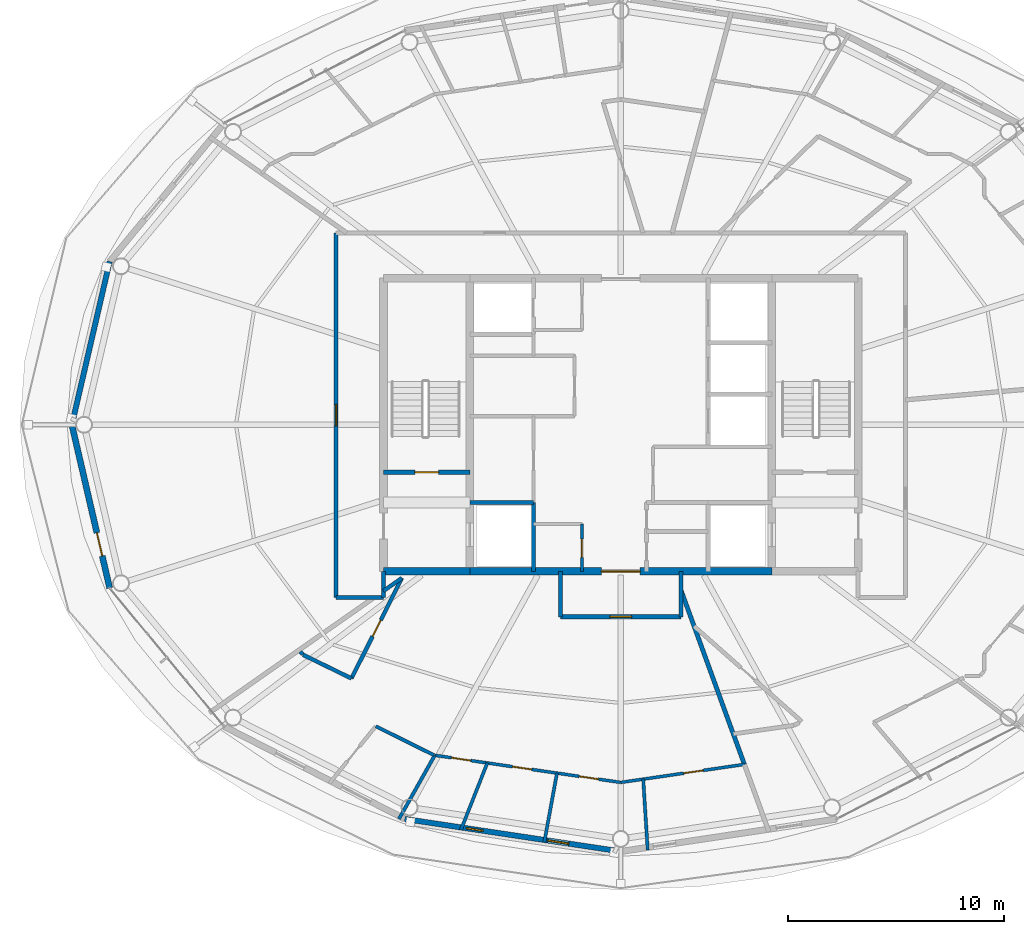
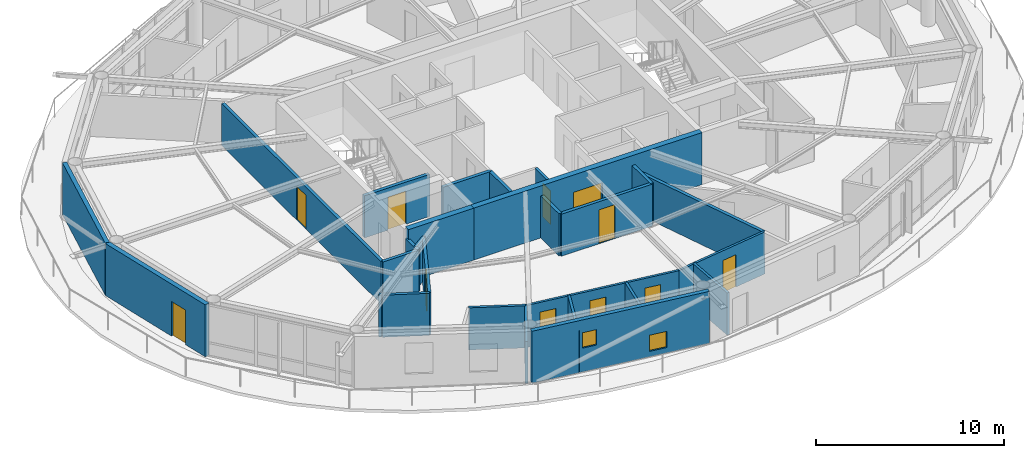
# One storey, part 16 of 23: 27 walls, 11 doors, 2 windows, 13 openings.
"""IFC4 building model written with IfcOpenShell, lengths in metres."""

from ifc_helpers import new_model, si_unit, direction, frame, frame_2d, origin, place, context, subcontext, project, spatial, rectangle, extrude, material, layer, layer_set, type_object, element, fill, save


model = new_model("IFC4")

# Units and contexts
model_context = context("Model", 3, precision=1e-05, world=origin(), true_north=direction((0.0, 1.0)))
body_context = subcontext(model_context, "Body", "Model", "MODEL_VIEW")
ifc_project = project(units=[si_unit("LENGTHUNIT", "METRE"), si_unit("AREAUNIT", "SQUARE_METRE"), si_unit("VOLUMEUNIT", "CUBIC_METRE"), si_unit("PLANEANGLEUNIT", "RADIAN"), si_unit("MASSUNIT", "GRAM", prefix="KILO")], contexts=[model_context])

# Site, building, storey
site_placement = place(None, origin())
site = spatial("IfcSite", under=ifc_project, at=site_placement, CompositionType="ELEMENT")
building_placement = place(site_placement, origin())
building = spatial("IfcBuilding", under=site, at=building_placement, Name="Sarneth Arch Tower", CompositionType="ELEMENT")
storey_placement = place(building_placement, frame((0.0, 0.0, 280.199951171875)))
storey = spatial("IfcBuildingStorey", under=building, at=storey_placement, Name="L72", CompositionType="ELEMENT", Elevation=280.199951171875)

# Wall
ifc_material_1 = material(Name="Concrete C50/60", Category="concrete")
ifc_layer_1 = layer(ifc_material_1, 0.35009765625)
ifc_layer_set_1 = layer_set([ifc_layer_1], Name="Concrete C50/60")
wall_type_1 = type_object("IfcWallType", Name="WALL-CORE-350", PredefinedType="SHEAR", material=ifc_layer_set_1)
wall_1_placement = place(storey_placement, frame((37.0, 35.199951171875, 0.0), z_axis=(0.0, 0.0, 1.0), x_axis=(1.0, 0.0, 0.0)))
element("IfcWall", 1, at=wall_1_placement, inside=storey, type_object=wall_type_1, Name="L72 Core shear wall S-W", PredefinedType="SHEAR", context=body_context, shape_type="SweptSolid", body=[
    extrude(rectangle(XDim=4.0, YDim=0.35009765625, at=frame_2d((2.0, 0.0))), origin(), (0.0, 0.0, 1.0), 3.3701171875),
])

# Wall, opening, door
wall_2_placement = place(storey_placement, frame((41.0, 35.199951171875, 0.0), z_axis=(0.0, 0.0, 1.0), x_axis=(1.0, 0.0, 0.0)))
wall_2 = element("IfcWall", 2, at=wall_2_placement, inside=storey, type_object=wall_type_1, Name="L72 Core shear wall S-M", PredefinedType="SHEAR", context=body_context, shape_type="SweptSolid", body=[
    extrude(rectangle(XDim=14.0, YDim=0.35009765625, at=frame_2d((7.0, 0.0))), origin(), (0.0, 0.0, 1.0), 3.3701171875),
])
opening_1_placement = place(wall_2_placement, frame((6.10009765625, 0.0, 0.0)))
opening_1 = element("IfcOpeningElement", 3, at=opening_1_placement, cuts=wall_2, Name="Opening FD-01", PredefinedType="OPENING", context=body_context, shape_type="SweptSolid", body=[
    extrude(rectangle(XDim=1.800048828125, YDim=2.25, at=frame_2d((0.89990234375, 1.125))), frame((0.0, 0.18505859375, 0.0), z_axis=(0.0, -1.0, 0.0), x_axis=(1.0, 0.0, 0.0)), (0.0, 0.0, 1.0), 0.3701171875),
])
ifc_material_2 = material(Name="Galvanised Steel S275 fire door set", Category="steel")
door_type_1 = type_object("IfcDoorType", Name="DR-FD90-1800", OperationType="DOUBLE_DOOR_SINGLE_SWING", PredefinedType="DOOR", material=ifc_material_2)
door_1_placement = place(opening_1_placement, origin())
door_1 = element("IfcDoor", 4, at=door_1_placement, inside=storey, type_object=door_type_1, Name="L72 Central lift lobby south door", OperationType="DOUBLE_DOOR_SINGLE_SWING", OverallHeight=2.25, OverallWidth=1.800048828125, PredefinedType="DOOR", context=body_context, shape_type="SweptSolid", body=[
    extrude(rectangle(XDim=1.800048828125, YDim=2.25, at=frame_2d((0.89990234375, 1.125))), frame((0.0, 0.02490234375, 0.0), z_axis=(0.0, -1.0, 0.0), x_axis=(1.0, 0.0, 0.0)), (0.0, 0.0, 1.0), 0.050048828125),
])
fill(opening_1, door_1)

ifc_material_3 = material(Name="Double steel-stud corridor fire wall", Category="steel")
ifc_layer_2 = layer(ifc_material_3, 0.18994140625)
ifc_layer_set_2 = layer_set([ifc_layer_2], Name="Double steel-stud corridor fire wall")
wall_type_2 = type_object("IfcWallType", Name="WALL-CORR-190", PredefinedType="PARTITIONING", material=ifc_layer_set_2)
wall_3_placement = place(storey_placement, frame((34.800048828125, 34.0, 0.0), z_axis=(0.0, 0.0, 1.0), x_axis=(0.0, 1.0, 0.0)))
wall_3 = element("IfcWall", 5, at=wall_3_placement, inside=storey, type_object=wall_type_2, Name="L72 Interior partition W-L72-TP-008", PredefinedType="PARTITIONING", context=body_context, shape_type="SweptSolid", body=[
    extrude(rectangle(XDim=16.89990234375, YDim=0.18994140625, at=frame_2d((8.449951171875, 0.0))), origin(), (0.0, 0.0, 1.0), 2.72998046875),
])
opening_2_placement = place(wall_3_placement, frame((7.949951171875, 0.0, 0.0)))
opening_2 = element("IfcOpeningElement", 6, at=opening_2_placement, cuts=wall_3, Name="Opening FD-08", PredefinedType="OPENING", context=body_context, shape_type="SweptSolid", body=[
    extrude(rectangle(XDim=1.0, YDim=2.199951171875, at=frame_2d((0.5, 1.10009765625))), frame((0.0, 0.10498046875, 0.0), z_axis=(0.0, -1.0, 0.0), x_axis=(1.0, 0.0, 0.0)), (0.0, 0.0, 1.0), 0.2099609375),
])
ifc_material_4 = material(Name="Hardwood timber acoustic fire door", Category="wood")
door_type_2 = type_object("IfcDoorType", Name="DR-FD60-1000", OperationType="SINGLE_SWING_LEFT", PredefinedType="DOOR", material=ifc_material_4)
door_2_placement = place(opening_2_placement, origin())
door_2 = element("IfcDoor", 7, at=door_2_placement, inside=storey, type_object=door_type_2, Name="L72 Interior door DR-L72-RAMN-03", OperationType="SINGLE_SWING_LEFT", OverallHeight=2.199951171875, OverallWidth=1.0, PredefinedType="DOOR", context=body_context, shape_type="SweptSolid", body=[
    extrude(rectangle(XDim=1.0, YDim=2.199951171875, at=frame_2d((0.5, 1.10009765625))), frame((0.0, 0.02490234375, 0.0), z_axis=(0.0, -1.0, 0.0), x_axis=(1.0, 0.0, 0.0)), (0.0, 0.0, 1.0), 0.050048828125),
])
fill(opening_2, door_2)

wall_4_placement = place(storey_placement, frame((50.800048828125, 33.10009765625, 0.0), z_axis=(0.0, 0.0, 1.0), x_axis=(-1.0, 0.0, 0.0)))
wall_4 = element("IfcWall", 8, at=wall_4_placement, inside=storey, type_object=wall_type_2, Name="L72 Interior partition W-L72-TP-016", PredefinedType="PARTITIONING", context=body_context, shape_type="SweptSolid", body=[
    extrude(rectangle(XDim=5.60009765625, YDim=0.18994140625, at=frame_2d((2.800048828125, 0.0))), origin(), (0.0, 0.0, 1.0), 2.72998046875),
])
opening_3_placement = place(wall_4_placement, frame((2.300048828125, 0.0, 0.0)))
opening_3 = element("IfcOpeningElement", 9, at=opening_3_placement, cuts=wall_4, Name="Opening FD-08", PredefinedType="OPENING", context=body_context, shape_type="SweptSolid", body=[
    extrude(rectangle(XDim=1.0, YDim=2.199951171875, at=frame_2d((0.5, 1.10009765625))), frame((0.0, 0.10498046875, 0.0), z_axis=(0.0, -1.0, 0.0), x_axis=(1.0, 0.0, 0.0)), (0.0, 0.0, 1.0), 0.2099609375),
])
door_3_placement = place(opening_3_placement, origin())
door_3 = element("IfcDoor", 10, at=door_3_placement, inside=storey, type_object=door_type_2, Name="L72 Interior door DR-L72-U4-ENT", OperationType="SINGLE_SWING_LEFT", OverallHeight=2.199951171875, OverallWidth=1.0, PredefinedType="DOOR", context=body_context, shape_type="SweptSolid", body=[
    extrude(rectangle(XDim=1.0, YDim=2.199951171875, at=frame_2d((0.5, 1.10009765625))), frame((0.0, 0.02490234375, 0.0), z_axis=(0.0, -1.0, 0.0), x_axis=(1.0, 0.0, 0.0)), (0.0, 0.0, 1.0), 0.050048828125),
])
fill(opening_3, door_3)

# Walls
wall_5_placement = place(storey_placement, frame((45.199951171875, 33.10009765625, 0.0), z_axis=(0.0, 0.0, 1.0), x_axis=(0.0, 1.0, 0.0)))
element("IfcWall", 11, at=wall_5_placement, inside=storey, type_object=wall_type_2, Name="L72 Interior partition W-L72-TP-017", PredefinedType="PARTITIONING", context=body_context, shape_type="SweptSolid", body=[
    extrude(rectangle(XDim=2.099853515625, YDim=0.18994140625, at=frame_2d((1.0498046875, 0.0))), origin(), (0.0, 0.0, 1.0), 2.72998046875),
])
wall_6_placement = place(storey_placement, frame((37.0, 34.0, 0.0), z_axis=(0.0, 0.0, 1.0), x_axis=(-1.0, 0.0, 0.0)))
element("IfcWall", 12, at=wall_6_placement, inside=storey, type_object=wall_type_2, Name="L72 Interior partition W-L72-TP-007", PredefinedType="PARTITIONING", context=body_context, shape_type="SweptSolid", body=[
    extrude(rectangle(XDim=2.199951171875, YDim=0.18994140625, at=frame_2d((1.10009765625, 0.0))), origin(), (0.0, 0.0, 1.0), 2.72998046875),
])
wall_7_placement = place(storey_placement, frame((50.800048828125, 35.199951171875, 0.0), z_axis=(0.0, 0.0, 1.0), x_axis=(0.0, -1.0, 0.0)))
element("IfcWall", 13, at=wall_7_placement, inside=storey, type_object=wall_type_2, Name="L72 Interior partition W-L72-TP-015", PredefinedType="PARTITIONING", context=body_context, shape_type="SweptSolid", body=[
    extrude(rectangle(XDim=2.099853515625, YDim=0.18994140625, at=frame_2d((1.0498046875, 0.0))), origin(), (0.0, 0.0, 1.0), 2.72998046875),
])
wall_8_placement = place(storey_placement, frame((37.0, 35.199951171875, 0.0), z_axis=(0.0, 0.0, 1.0), x_axis=(0.0, -1.0, 0.0)))
element("IfcWall", 14, at=wall_8_placement, inside=storey, type_object=wall_type_2, Name="L72 Interior partition W-L72-TP-098", PredefinedType="PARTITIONING", context=body_context, shape_type="SweptSolid", body=[
    extrude(rectangle(XDim=1.199951171875, YDim=0.18994140625, at=frame_2d((0.60009765625, 0.0))), origin(), (0.0, 0.0, 1.0), 2.72998046875),
])
ifc_material_5 = material(Name="Extruded terracotta rainscreen on Concrete C40/50 backing", Category="masonry")
ifc_layer_3 = layer(ifc_material_5, 0.25)
ifc_layer_set_3 = layer_set([ifc_layer_3], Name="Extruded terracotta rainscreen on Concrete C40/50 backing")
wall_type_3 = type_object("IfcWallType", Name="WALL-EXT-SPAND-250", PredefinedType="SOLIDWALL", material=ifc_layer_set_3)
wall_9_placement = place(storey_placement, frame((24.30615234375, 49.569580078125, 0.0), z_axis=(0.0, 0.0, 1.0), x_axis=(-0.225635078214, -0.974211892495, 0.0)))
element("IfcWall", 15, at=wall_9_placement, inside=storey, type_object=wall_type_3, Name="L72 Terracotta perimeter wall 08", PredefinedType="SOLIDWALL", context=body_context, shape_type="SweptSolid", body=[
    extrude(rectangle(XDim=7.77001953125, YDim=0.25, at=frame_2d((3.885009765625, 0.0))), origin(), (0.0, 0.0, 1.0), 3.3701171875),
])

# Wall, openings, windows
wall_10_placement = place(storey_placement, frame((37.9873046875, 23.7255859375, 0.0), z_axis=(0.0, 0.0, 1.0), x_axis=(0.988882522213, -0.148698881169, 0.0)))
wall_10 = element("IfcWall", 16, at=wall_10_placement, inside=storey, type_object=wall_type_3, Name="L72 Terracotta perimeter wall 12", PredefinedType="SOLIDWALL", context=body_context, shape_type="SweptSolid", body=[
    extrude(rectangle(XDim=10.125244140625, YDim=0.25, at=frame_2d((5.0625, 0.0))), origin(), (0.0, 0.0, 1.0), 3.3701171875),
])
opening_4_placement = place(wall_10_placement, frame((2.884765625, 0.0, 1.5400390625)))
opening_4 = element("IfcOpeningElement", 17, at=opening_4_placement, cuts=wall_10, Name="Opening W-15", PredefinedType="OPENING", context=body_context, shape_type="SweptSolid", body=[
    extrude(rectangle(XDim=0.800048828125, YDim=1.0, at=frame_2d((0.39990234375, 0.5))), frame((0.0, 0.135009765625, 0.0), z_axis=(0.0, -1.0, 0.0), x_axis=(1.0, 0.0, 0.0)), (0.0, 0.0, 1.0), 0.27001953125),
])
opening_5_placement = place(wall_10_placement, frame((6.69580078125, 0.0, 0.35009765625)))
opening_5 = element("IfcOpeningElement", 18, at=opening_5_placement, cuts=wall_10, Name="Opening W-14", PredefinedType="OPENING", context=body_context, shape_type="SweptSolid", body=[
    extrude(rectangle(XDim=1.0, YDim=1.050048828125, at=frame_2d((0.5, 0.52490234375))), frame((0.0, 0.135009765625, 0.0), z_axis=(0.0, -1.0, 0.0), x_axis=(1.0, 0.0, 0.0)), (0.0, 0.0, 1.0), 0.27001953125),
])
ifc_material_6 = material(Name="Thermally broken Aluminium 6063-T6 and low-e laminated IGU", Category="aluminium")
window_type_1 = type_object("IfcWindowType", Name="WIN-TWR-1000x1050", PartitioningType="SINGLE_PANEL", PredefinedType="WINDOW", material=ifc_material_6)
window_1_placement = place(opening_5_placement, origin())
window_1 = element("IfcWindow", 19, at=window_1_placement, inside=storey, type_object=window_type_1, Name="L72 Dwelling bedroom window 04", OverallHeight=1.050048828125, OverallWidth=1.0, PartitioningType="SINGLE_PANEL", PredefinedType="WINDOW", context=body_context, shape_type="SweptSolid", body=[
    extrude(rectangle(XDim=1.0, YDim=1.050048828125, at=frame_2d((0.5, 0.52490234375))), frame((0.0, 0.030029296875, 0.0), z_axis=(0.0, -1.0, 0.0), x_axis=(1.0, 0.0, 0.0)), (0.0, 0.0, 1.0), 0.06005859375),
])
fill(opening_5, window_1)
ifc_material_7 = material(Name="Thermally broken Aluminium 6063-T6 and low-e laminated IGU", Category="aluminium")
window_type_2 = type_object("IfcWindowType", Name="WIN-TWR-800x1000", PartitioningType="SINGLE_PANEL", PredefinedType="WINDOW", material=ifc_material_7)
window_2_placement = place(opening_4_placement, origin())
window_2 = element("IfcWindow", 20, at=window_2_placement, inside=storey, type_object=window_type_2, Name="L72 Dwelling bedroom window 03", OverallHeight=1.0, OverallWidth=0.800048828125, PartitioningType="SINGLE_PANEL", PredefinedType="WINDOW", context=body_context, shape_type="SweptSolid", body=[
    extrude(rectangle(XDim=0.800048828125, YDim=1.0, at=frame_2d((0.39990234375, 0.5))), frame((0.0, 0.030029296875, 0.0), z_axis=(0.0, -1.0, 0.0), x_axis=(1.0, 0.0, 0.0)), (0.0, 0.0, 1.0), 0.06005859375),
])
fill(opening_4, window_2)

# Wall, opening, door
ifc_material_8 = material(Name="Extruded terracotta rainscreen on Concrete C40/50 backing", Category="masonry")
ifc_layer_4 = layer(ifc_material_8, 0.280029296875)
ifc_layer_set_4 = layer_set([ifc_layer_4], Name="Extruded terracotta rainscreen on Concrete C40/50 backing")
wall_type_4 = type_object("IfcWallType", Name="WALL-EXT-TERRA-280", PredefinedType="SOLIDWALL", material=ifc_layer_set_4)
wall_11_placement = place(storey_placement, frame((22.552978515625, 42.0, 0.0), z_axis=(0.0, 0.0, 1.0), x_axis=(0.225635078214, -0.974211892495, 0.0)))
wall_11 = element("IfcWall", 21, at=wall_11_placement, inside=storey, type_object=wall_type_4, Name="L72 Terracotta perimeter wall 09", PredefinedType="SOLIDWALL", context=body_context, shape_type="SweptSolid", body=[
    extrude(rectangle(XDim=7.77001953125, YDim=0.280029296875, at=frame_2d((3.885009765625, 0.0))), origin(), (0.0, 0.0, 1.0), 3.3701171875),
])
opening_6_placement = place(wall_11_placement, frame((5.14208984375, 0.0, 0.0)))
opening_6 = element("IfcOpeningElement", 22, at=opening_6_placement, cuts=wall_11, Name="Opening BD-3", PredefinedType="OPENING", context=body_context, shape_type="SweptSolid", body=[
    extrude(rectangle(XDim=1.10009765625, YDim=2.25, at=frame_2d((0.550048828125, 1.125))), frame((0.0, 0.14990234375, 0.0), z_axis=(0.0, -1.0, 0.0), x_axis=(1.0, 0.0, 0.0)), (0.0, 0.0, 1.0), 0.300048828125),
])
ifc_material_9 = material(Name="Thermally broken Aluminium 6063-T6 and laminated safety glass", Category="aluminium")
door_type_3 = type_object("IfcDoorType", Name="DR-BALC-GLZ-1100", OperationType="SINGLE_SWING_LEFT", PredefinedType="DOOR", material=ifc_material_9)
door_4_placement = place(opening_6_placement, origin())
door_4 = element("IfcDoor", 23, at=door_4_placement, inside=storey, type_object=door_type_3, Name="L72 Balcony glazed door 09", OperationType="SINGLE_SWING_LEFT", OverallHeight=2.25, OverallWidth=1.10009765625, PredefinedType="DOOR", context=body_context, shape_type="SweptSolid", body=[
    extrude(rectangle(XDim=1.10009765625, YDim=2.25, at=frame_2d((0.550048828125, 1.125))), frame((0.0, 0.02490234375, 0.0), z_axis=(0.0, -1.0, 0.0), x_axis=(1.0, 0.0, 0.0)), (0.0, 0.0, 1.0), 0.050048828125),
])
fill(opening_6, door_4)

ifc_material_10 = material(Name="Apartment internal stud partition", Category="gypsum")
ifc_layer_5 = layer(ifc_material_10, 0.139892578125)
ifc_layer_set_5 = layer_set([ifc_layer_5], Name="Apartment internal stud partition")
wall_type_5 = type_object("IfcWallType", Name="WALL-PART-140", PredefinedType="PARTITIONING", material=ifc_layer_set_5)
wall_12_placement = place(storey_placement, frame((53.73046875, 26.255615234375, 0.0), z_axis=(0.0, 0.0, 1.0), x_axis=(-0.989539000253, -0.144265612597, 0.0)))
wall_12 = element("IfcWall", 24, at=wall_12_placement, inside=storey, type_object=wall_type_5, Name="L72 Interior partition W-L72-TP-072", PredefinedType="PARTITIONING", context=body_context, shape_type="SweptSolid", body=[
    extrude(rectangle(XDim=5.791015625, YDim=0.139892578125, at=frame_2d((2.8955078125, 0.0))), origin(), (0.0, 0.0, 1.0), 2.72998046875),
])
opening_7_placement = place(wall_12_placement, frame((1.93603515625, 0.0, 0.0)))
opening_7 = element("IfcOpeningElement", 25, at=opening_7_placement, cuts=wall_12, Name="Opening ID-01", PredefinedType="OPENING", context=body_context, shape_type="SweptSolid", body=[
    extrude(rectangle(XDim=0.89990234375, YDim=2.10009765625, at=frame_2d((0.449951171875, 1.050048828125))), frame((0.0, 0.079833984375, 0.0), z_axis=(0.0, -1.0, 0.0), x_axis=(1.0, 0.0, 0.0)), (0.0, 0.0, 1.0), 0.159912109375),
])
ifc_material_11 = material(Name="Engineered hardwood flush door", Category="wood")
door_type_4 = type_object("IfcDoorType", Name="DR-INT-900", OperationType="SINGLE_SWING_LEFT", PredefinedType="DOOR", material=ifc_material_11)
door_5_placement = place(opening_7_placement, origin())
door_5 = element("IfcDoor", 26, at=door_5_placement, inside=storey, type_object=door_type_4, Name="L72 Interior door DR-L72-U4-BED3", OperationType="SINGLE_SWING_RIGHT", OverallHeight=2.10009765625, OverallWidth=0.89990234375, PredefinedType="DOOR", context=body_context, shape_type="SweptSolid", body=[
    extrude(rectangle(XDim=0.89990234375, YDim=2.10009765625, at=frame_2d((0.449951171875, 1.050048828125))), frame((0.0, 0.02490234375, 0.0), z_axis=(0.0, -1.0, 0.0), x_axis=(1.0, 0.0, 0.0)), (0.0, 0.0, 1.0), 0.050048828125),
])
fill(opening_7, door_5)

# Wall, openings, doors
wall_13_placement = place(storey_placement, frame((48.0, 25.419921875, 0.0), z_axis=(0.0, 0.0, 1.0), x_axis=(-0.989534564718, 0.144296033307, 0.0)))
wall_13 = element("IfcWall", 27, at=wall_13_placement, inside=storey, type_object=wall_type_5, Name="L72 Interior partition W-L72-TP-069", PredefinedType="PARTITIONING", context=body_context, shape_type="SweptSolid", body=[
    extrude(rectangle(XDim=8.713623046875, YDim=0.139892578125, at=frame_2d((4.35693359375, 0.0))), origin(), (0.0, 0.0, 1.0), 2.72998046875),
])
opening_8_placement = place(wall_13_placement, frame((4.1708984375, 0.0, 0.0)))
opening_8 = element("IfcOpeningElement", 28, at=opening_8_placement, cuts=wall_13, Name="Opening ID-01", PredefinedType="OPENING", context=body_context, shape_type="SweptSolid", body=[
    extrude(rectangle(XDim=0.89990234375, YDim=2.10009765625, at=frame_2d((0.449951171875, 1.050048828125))), frame((0.0, 0.079833984375, 0.0), z_axis=(0.0, -1.0, 0.0), x_axis=(1.0, 0.0, 0.0)), (0.0, 0.0, 1.0), 0.159912109375),
])
opening_9_placement = place(wall_13_placement, frame((1.044677734375, 0.0, 0.0)))
opening_9 = element("IfcOpeningElement", 29, at=opening_9_placement, cuts=wall_13, Name="Opening ID-01", PredefinedType="OPENING", context=body_context, shape_type="SweptSolid", body=[
    extrude(rectangle(XDim=0.89990234375, YDim=2.10009765625, at=frame_2d((0.449951171875, 1.050048828125))), frame((0.0, 0.079833984375, 0.0), z_axis=(0.0, -1.0, 0.0), x_axis=(1.0, 0.0, 0.0)), (0.0, 0.0, 1.0), 0.159912109375),
])
opening_10_placement = place(wall_13_placement, frame((7.03271484375, 0.0, 0.0)))
opening_10 = element("IfcOpeningElement", 30, at=opening_10_placement, cuts=wall_13, Name="Opening ID-01", PredefinedType="OPENING", context=body_context, shape_type="SweptSolid", body=[
    extrude(rectangle(XDim=0.89990234375, YDim=2.10009765625, at=frame_2d((0.449951171875, 1.050048828125))), frame((0.0, 0.079833984375, 0.0), z_axis=(0.0, -1.0, 0.0), x_axis=(1.0, 0.0, 0.0)), (0.0, 0.0, 1.0), 0.159912109375),
])
door_6_placement = place(opening_8_placement, origin())
door_6 = element("IfcDoor", 31, at=door_6_placement, inside=storey, type_object=door_type_4, Name="L72 Interior door DR-L72-U4-BED1", OperationType="SINGLE_SWING_LEFT", OverallHeight=2.10009765625, OverallWidth=0.89990234375, PredefinedType="DOOR", context=body_context, shape_type="SweptSolid", body=[
    extrude(rectangle(XDim=0.89990234375, YDim=2.10009765625, at=frame_2d((0.449951171875, 1.050048828125))), frame((0.0, 0.02490234375, 0.0), z_axis=(0.0, -1.0, 0.0), x_axis=(1.0, 0.0, 0.0)), (0.0, 0.0, 1.0), 0.050048828125),
])
fill(opening_8, door_6)
door_7_placement = place(opening_9_placement, origin())
door_7 = element("IfcDoor", 32, at=door_7_placement, inside=storey, type_object=door_type_4, Name="L72 Interior door DR-L72-U4-BED2", OperationType="SINGLE_SWING_RIGHT", OverallHeight=2.10009765625, OverallWidth=0.89990234375, PredefinedType="DOOR", context=body_context, shape_type="SweptSolid", body=[
    extrude(rectangle(XDim=0.89990234375, YDim=2.10009765625, at=frame_2d((0.449951171875, 1.050048828125))), frame((0.0, 0.02490234375, 0.0), z_axis=(0.0, -1.0, 0.0), x_axis=(1.0, 0.0, 0.0)), (0.0, 0.0, 1.0), 0.050048828125),
])
fill(opening_9, door_7)
door_8_placement = place(opening_10_placement, origin())
door_8 = element("IfcDoor", 33, at=door_8_placement, inside=storey, type_object=door_type_4, Name="L72 Interior door DR-L72-U4-STD", OperationType="SINGLE_SWING_LEFT", OverallHeight=2.10009765625, OverallWidth=0.89990234375, PredefinedType="DOOR", context=body_context, shape_type="SweptSolid", body=[
    extrude(rectangle(XDim=0.89990234375, YDim=2.10009765625, at=frame_2d((0.449951171875, 1.050048828125))), frame((0.0, 0.02490234375, 0.0), z_axis=(0.0, -1.0, 0.0), x_axis=(1.0, 0.0, 0.0)), (0.0, 0.0, 1.0), 0.050048828125),
])
fill(opening_10, door_8)

# Wall, opening, door
ifc_material_12 = material(Name="Acoustic gypsum stud partition", Category="gypsum")
ifc_layer_6 = layer(ifc_material_12, 0.14990234375)
ifc_layer_set_6 = layer_set([ifc_layer_6], Name="Acoustic gypsum stud partition")
wall_type_6 = type_object("IfcWallType", Name="WALL-PART-150", PredefinedType="PARTITIONING", material=ifc_layer_set_6)
wall_14_placement = place(storey_placement, frame((46.199951171875, 35.199951171875, 0.0), z_axis=(0.0, 0.0, 1.0), x_axis=(0.0, 1.0, 0.0)))
wall_14 = element("IfcWall", 34, at=wall_14_placement, inside=storey, type_object=wall_type_6, Name="L72 Interior partition W-L72-CSUP1-E", PredefinedType="PARTITIONING", context=body_context, shape_type="SweptSolid", body=[
    extrude(rectangle(XDim=2.199951171875, YDim=0.14990234375, at=frame_2d((1.10009765625, 0.0))), origin(), (0.0, 0.0, 1.0), 2.72998046875),
])
opening_11_placement = place(wall_14_placement, frame((0.64990234375, 0.0, 0.0)))
opening_11 = element("IfcOpeningElement", 35, at=opening_11_placement, cuts=wall_14, Name="Opening FD-11", PredefinedType="OPENING", context=body_context, shape_type="SweptSolid", body=[
    extrude(rectangle(XDim=0.85009765625, YDim=2.14990234375, at=frame_2d((0.425048828125, 1.074951171875))), frame((0.0, 0.0849609375, 0.0), z_axis=(0.0, -1.0, 0.0), x_axis=(1.0, 0.0, 0.0)), (0.0, 0.0, 1.0), 0.169921875),
])
ifc_material_13 = material(Name="Galvanised Steel S275 closet fire door", Category="steel")
door_type_5 = type_object("IfcDoorType", Name="DR-FD60-850", OperationType="SINGLE_SWING_LEFT", PredefinedType="DOOR", material=ifc_material_13)
door_9_placement = place(opening_11_placement, origin())
door_9 = element("IfcDoor", 36, at=door_9_placement, inside=storey, type_object=door_type_5, Name="L72 Interior door DR-L72-CSUP1", OperationType="SINGLE_SWING_LEFT", OverallHeight=2.14990234375, OverallWidth=0.85009765625, PredefinedType="DOOR", context=body_context, shape_type="SweptSolid", body=[
    extrude(rectangle(XDim=0.85009765625, YDim=2.14990234375, at=frame_2d((0.425048828125, 1.074951171875))), frame((0.0, 0.02490234375, 0.0), z_axis=(0.0, -1.0, 0.0), x_axis=(1.0, 0.0, 0.0)), (0.0, 0.0, 1.0), 0.050048828125),
])
fill(opening_11, door_9)

# Walls
wall_15_placement = place(storey_placement, frame((41.813232421875, 26.322265625, 0.0), z_axis=(0.0, 0.0, 1.0), x_axis=(-0.366986730156, -0.930226176738, 0.0)))
element("IfcWall", 37, at=wall_15_placement, inside=storey, type_object=wall_type_6, Name="L72 Interior partition W-L72-TP-077", PredefinedType="PARTITIONING", context=body_context, shape_type="SweptSolid", body=[
    extrude(rectangle(XDim=3.3388671875, YDim=0.14990234375, at=frame_2d((1.66943359375, 0.0))), origin(), (0.0, 0.0, 1.0), 2.72998046875),
])
wall_16_placement = place(storey_placement, frame((49.040283203125, 25.57177734375, 0.0), z_axis=(0.0, 0.0, 1.0), x_axis=(0.063195614113, -0.998001159497, 0.0)))
element("IfcWall", 38, at=wall_16_placement, inside=storey, type_object=wall_type_6, Name="L72 Interior partition W-L72-TP-079", PredefinedType="PARTITIONING", context=body_context, shape_type="SweptSolid", body=[
    extrude(rectangle(XDim=3.29150390625, YDim=0.14990234375, at=frame_2d((1.645751953125, 0.0))), origin(), (0.0, 0.0, 1.0), 2.72998046875),
])
wall_17_placement = place(storey_placement, frame((44.452392578125, 22.632080078125, 0.0), z_axis=(0.0, 0.0, 1.0), x_axis=(0.180152248802, 0.983638738182, 0.0)))
element("IfcWall", 39, at=wall_17_placement, inside=storey, type_object=wall_type_6, Name="L72 Interior partition W-L72-TP-078", PredefinedType="PARTITIONING", context=body_context, shape_type="SweptSolid", body=[
    extrude(rectangle(XDim=3.272705078125, YDim=0.14990234375, at=frame_2d((1.63623046875, 0.0))), origin(), (0.0, 0.0, 1.0), 2.72998046875),
])
ifc_material_14 = material(Name="Kitchen wet service chase wall", Category="gypsum")
ifc_layer_7 = layer(ifc_material_14, 0.159912109375)
ifc_layer_set_7 = layer_set([ifc_layer_7], Name="Kitchen wet service chase wall")
wall_type_7 = type_object("IfcWallType", Name="WALL-PLUMB-160", PredefinedType="PLUMBINGWALL", material=ifc_layer_set_7)
wall_18_placement = place(storey_placement, frame((37.718505859375, 23.728759765625, 0.0), z_axis=(0.0, 0.0, 1.0), x_axis=(0.490408553136, 0.871492656889, 0.0)))
element("IfcWall", 40, at=wall_18_placement, inside=storey, type_object=wall_type_7, Name="L72 Interior partition W-L72-TP-076", PredefinedType="PLUMBINGWALL", context=body_context, shape_type="SweptSolid", body=[
    extrude(rectangle(XDim=3.38330078125, YDim=0.159912109375, at=frame_2d((1.691650390625, 0.0))), origin(), (0.0, 0.0, 1.0), 2.72998046875),
])
wall_19_placement = place(storey_placement, frame((39.34521484375, 26.68212890625, 0.0), z_axis=(0.0, 0.0, 1.0), x_axis=(-0.895589359885, 0.44488166793, 0.0)))
element("IfcWall", 41, at=wall_19_placement, inside=storey, type_object=wall_type_7, Name="L72 Interior partition W-L72-TP-064", PredefinedType="PLUMBINGWALL", context=body_context, shape_type="SweptSolid", body=[
    extrude(rectangle(XDim=3.01708984375, YDim=0.159912109375, at=frame_2d((1.508544921875, 0.0))), origin(), (0.0, 0.0, 1.0), 2.72998046875),
])

# Wall, opening, door
ifc_material_15 = material(Name="Moisture-resistant plumbing chase wall", Category="gypsum")
ifc_layer_8 = layer(ifc_material_15, 0.179931640625)
ifc_layer_set_8 = layer_set([ifc_layer_8], Name="Moisture-resistant plumbing chase wall")
wall_type_8 = type_object("IfcWallType", Name="WALL-PLUMB-180", PredefinedType="PLUMBINGWALL", material=ifc_layer_set_8)
wall_20_placement = place(storey_placement, frame((37.854736328125, 34.896240234375, 0.0), z_axis=(0.0, 0.0, 1.0), x_axis=(-0.449274589412, -0.893393722447, 0.0)))
wall_20 = element("IfcWall", 42, at=wall_20_placement, inside=storey, type_object=wall_type_8, Name="L72 Interior partition W-L72-TP-066", PredefinedType="PLUMBINGWALL", context=body_context, shape_type="SweptSolid", body=[
    extrude(rectangle(XDim=5.209228515625, YDim=0.179931640625, at=frame_2d((2.6044921875, 0.0))), origin(), (0.0, 0.0, 1.0), 2.72998046875),
])
opening_12_placement = place(wall_20_placement, frame((2.1796875, 0.0, 0.0)))
opening_12 = element("IfcOpeningElement", 43, at=opening_12_placement, cuts=wall_20, Name="Opening ID-02", PredefinedType="OPENING", context=body_context, shape_type="SweptSolid", body=[
    extrude(rectangle(XDim=0.85009765625, YDim=2.10009765625, at=frame_2d((0.425048828125, 1.050048828125))), frame((0.0, 0.099853515625, 0.0), z_axis=(0.0, -1.0, 0.0), x_axis=(1.0, 0.0, 0.0)), (0.0, 0.0, 1.0), 0.199951171875),
])
ifc_material_16 = material(Name="Moisture-resistant bathroom timber door", Category="wood")
door_type_6 = type_object("IfcDoorType", Name="DR-INT-850", OperationType="SINGLE_SWING_RIGHT", PredefinedType="DOOR", material=ifc_material_16)
door_10_placement = place(opening_12_placement, origin())
door_10 = element("IfcDoor", 44, at=door_10_placement, inside=storey, type_object=door_type_6, Name="L72 Interior door DR-L72-U4-BATH", OperationType="SINGLE_SWING_RIGHT", OverallHeight=2.10009765625, OverallWidth=0.85009765625, PredefinedType="DOOR", context=body_context, shape_type="SweptSolid", body=[
    extrude(rectangle(XDim=0.85009765625, YDim=2.10009765625, at=frame_2d((0.425048828125, 1.050048828125))), frame((0.0, 0.02490234375, 0.0), z_axis=(0.0, -1.0, 0.0), x_axis=(1.0, 0.0, 0.0)), (0.0, 0.0, 1.0), 0.050048828125),
])
fill(opening_12, door_10)

# Walls
wall_21_placement = place(storey_placement, frame((35.514404296875, 30.242431640625, 0.0), z_axis=(0.0, 0.0, 1.0), x_axis=(-0.898915857852, 0.438121307975, 0.0)))
element("IfcWall", 45, at=wall_21_placement, inside=storey, type_object=wall_type_8, Name="L72 Interior partition W-L72-TP-067", PredefinedType="PLUMBINGWALL", context=body_context, shape_type="SweptSolid", body=[
    extrude(rectangle(XDim=2.498046875, YDim=0.179931640625, at=frame_2d((1.2490234375, 0.0))), origin(), (0.0, 0.0, 1.0), 2.72998046875),
])
wall_22_placement = place(storey_placement, frame((37.0, 34.297607421875, 0.0), z_axis=(0.0, 0.0, 1.0), x_axis=(0.81908900763, 0.573666451502, 0.0)))
element("IfcWall", 46, at=wall_22_placement, inside=storey, type_object=wall_type_8, Name="L72 Interior partition W-L72-TP-099", PredefinedType="PLUMBINGWALL", context=body_context, shape_type="SweptSolid", body=[
    extrude(rectangle(XDim=1.04345703125, YDim=0.179931640625, at=frame_2d((0.521728515625, 0.0))), origin(), (0.0, 0.0, 1.0), 2.72998046875),
])
wall_23_placement = place(storey_placement, frame((33.2529296875, 31.35498046875, 0.0), z_axis=(0.0, 0.0, 1.0), x_axis=(-0.656323784366, 0.754479350331, 0.0)))
element("IfcWall", 47, at=wall_23_placement, inside=storey, type_object=wall_type_8, Name="L72 Interior partition W-L72-TP-068", PredefinedType="PLUMBINGWALL", context=body_context, shape_type="SweptSolid", body=[
    extrude(rectangle(XDim=0.166748046875, YDim=0.179931640625, at=frame_2d((0.08349609375, 0.0))), origin(), (0.0, 0.0, 1.0), 2.72998046875),
])

# Wall, opening, door
ifc_material_17 = material(Name="Aerated concrete blockwork C25/30", Category="masonry")
ifc_layer_9 = layer(ifc_material_17, 0.199951171875)
ifc_layer_set_9 = layer_set([ifc_layer_9], Name="Aerated concrete blockwork C25/30")
wall_type_9 = type_object("IfcWallType", Name="WALL-SHAFT-200", PredefinedType="SOLIDWALL", material=ifc_layer_set_9)
wall_24_placement = place(storey_placement, frame((37.0, 39.800048828125, 0.0), z_axis=(0.0, 0.0, 1.0), x_axis=(1.0, 0.0, 0.0)))
wall_24 = element("IfcWall", 48, at=wall_24_placement, inside=storey, type_object=wall_type_9, Name="L72 Interior partition W-L72-ST1-S", PredefinedType="SOLIDWALL", context=body_context, shape_type="SweptSolid", body=[
    extrude(rectangle(XDim=4.0, YDim=0.199951171875, at=frame_2d((2.0, 0.0))), origin(), (0.0, 0.0, 1.0), 2.72998046875),
])
opening_13_placement = place(wall_24_placement, frame((1.449951171875, 0.0, 0.0)))
opening_13 = element("IfcOpeningElement", 49, at=opening_13_placement, cuts=wall_24, Name="Opening FD-03", PredefinedType="OPENING", context=body_context, shape_type="SweptSolid", body=[
    extrude(rectangle(XDim=1.10009765625, YDim=2.14990234375, at=frame_2d((0.550048828125, 1.074951171875))), frame((0.0, 0.10986328125, 0.0), z_axis=(0.0, -1.0, 0.0), x_axis=(1.0, 0.0, 0.0)), (0.0, 0.0, 1.0), 0.219970703125),
])
ifc_material_18 = material(Name="Galvanised Steel S275 fire door set", Category="steel")
door_type_7 = type_object("IfcDoorType", Name="DR-FD90-1100", OperationType="SINGLE_SWING_LEFT", PredefinedType="DOOR", material=ifc_material_18)
door_11_placement = place(opening_13_placement, origin())
door_11 = element("IfcDoor", 50, at=door_11_placement, inside=storey, type_object=door_type_7, Name="L72 Interior door DR-L72-ST1", OperationType="SINGLE_SWING_LEFT", OverallHeight=2.14990234375, OverallWidth=1.10009765625, PredefinedType="DOOR", context=body_context, shape_type="SweptSolid", body=[
    extrude(rectangle(XDim=1.10009765625, YDim=2.14990234375, at=frame_2d((0.550048828125, 1.074951171875))), frame((0.0, 0.02490234375, 0.0), z_axis=(0.0, -1.0, 0.0), x_axis=(1.0, 0.0, 0.0)), (0.0, 0.0, 1.0), 0.050048828125),
])
fill(opening_13, door_11)

# Walls
wall_25_placement = place(storey_placement, frame((43.949951171875, 35.199951171875, 0.0), z_axis=(0.0, 0.0, 1.0), x_axis=(0.0, 1.0, 0.0)))
element("IfcWall", 51, at=wall_25_placement, inside=storey, type_object=wall_type_9, Name="L72 Interior partition W-L72-FL1-E", PredefinedType="SOLIDWALL", context=body_context, shape_type="SweptSolid", body=[
    extrude(rectangle(XDim=3.199951171875, YDim=0.199951171875, at=frame_2d((1.60009765625, 0.0))), origin(), (0.0, 0.0, 1.0), 2.72998046875),
])
wall_26_placement = place(storey_placement, frame((41.0, 38.39990234375, 0.0), z_axis=(0.0, 0.0, 1.0), x_axis=(1.0, 0.0, 0.0)))
element("IfcWall", 52, at=wall_26_placement, inside=storey, type_object=wall_type_9, Name="L72 Interior partition W-L72-FL1-N", PredefinedType="SOLIDWALL", context=body_context, shape_type="SweptSolid", body=[
    extrude(rectangle(XDim=2.949951171875, YDim=0.199951171875, at=frame_2d((1.47509765625, 0.0))), origin(), (0.0, 0.0, 1.0), 2.72998046875),
])
ifc_material_19 = material(Name="Double steel-stud acoustic drywall", Category="steel")
ifc_layer_10 = layer(ifc_material_19, 0.199951171875)
ifc_layer_set_10 = layer_set([ifc_layer_10], Name="Double steel-stud acoustic drywall")
wall_type_10 = type_object("IfcWallType", Name="WALL-UNIT-200", PredefinedType="PARTITIONING", material=ifc_layer_set_10)
wall_27_placement = place(storey_placement, frame((50.800048828125, 34.30712890625, 0.0), z_axis=(0.0, 0.0, 1.0), x_axis=(0.342010724278, -0.939696048985, 0.0)))
element("IfcWall", 53, at=wall_27_placement, inside=storey, type_object=wall_type_10, Name="L72 Interior partition W-L72-TP-075", PredefinedType="PARTITIONING", context=body_context, shape_type="SweptSolid", body=[
    extrude(rectangle(XDim=8.568115234375, YDim=0.199951171875, at=frame_2d((4.2841796875, 0.0))), origin(), (0.0, 0.0, 1.0), 2.72998046875),
])

save(model, "model.ifc")
